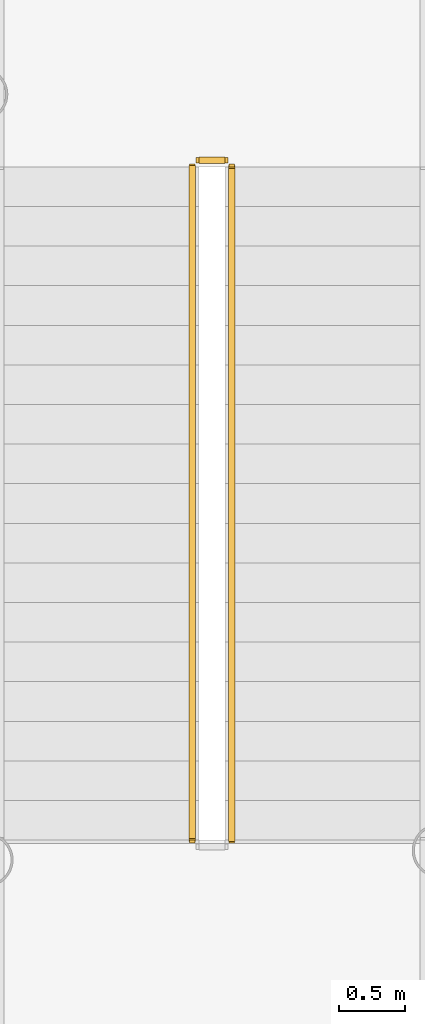
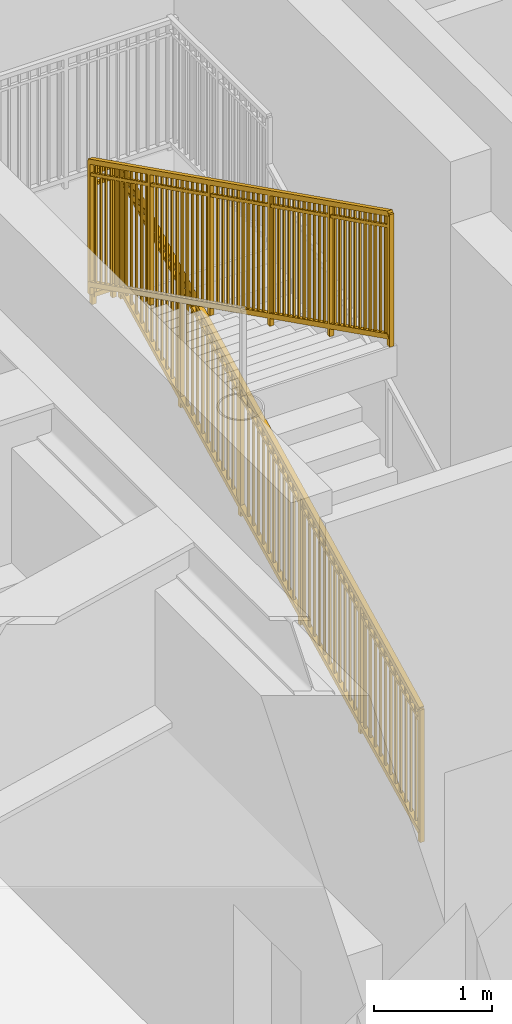
# One storey, part 15 of 20: 3 railings.
"""IFC4 building model written with IfcOpenShell, lengths in metres."""

import ifcopenshell
import ifcopenshell.guid

model = None  # the IFC model being written
_history = None  # IfcOwnerHistory: only IFC2X3 demands one
_inside = {}  # id of a spatial element -> (the spatial element, [elements in it])
_under = {}  # id of a project, library or spatial element -> (it, [spatial elements below it])
_declared = {}  # id of a project -> (the project, [libraries it declares])
_typed = {}  # id of a type object -> (the type object, [elements of that type])
_made_of = {}  # id of a material, layer set ... -> (it, [elements and type objects made of it])


def new_model(schema):
    """Start an empty IFC model of exactly this schema.

    Asked for "IFC4X3", IfcOpenShell would pick the latest addendum, in which some entities
    have other attributes; the version numbers below select the first issue.
    IFC2X3 requires an IfcOwnerHistory on every rooted entity: one is made here for all.
    """
    global model, _history
    if schema == "IFC4X3":
        model = ifcopenshell.file(schema_version=(4, 3, 0, 0))
    else:
        model = ifcopenshell.file(schema=schema)
    _inside.clear()
    _under.clear()
    _declared.clear()
    _typed.clear()
    _made_of.clear()
    _history = None
    if model.schema == "IFC2X3":
        org = make("IfcOrganization", Name="unknown")
        user = make(
            "IfcPersonAndOrganization",
            ThePerson=make("IfcPerson", FamilyName="unknown"),
            TheOrganization=org,
        )
        app = make(
            "IfcApplication",
            ApplicationDeveloper=org,
            Version="unknown",
            ApplicationFullName="unknown",
            ApplicationIdentifier="unknown",
        )
        _history = make(
            "IfcOwnerHistory",
            OwningUser=user,
            OwningApplication=app,
            ChangeAction="ADDED",
            CreationDate=0,
        )
    return model


def make(cls, **values):
    """One entity of the class cls with the attributes given. An attribute that is None is left unset."""
    return model.create_entity(
        cls, **{name: value for name, value in values.items() if value is not None}
    )


def rooted(cls, **values):
    """An entity with a GlobalId (a new one), such as an element, a storey or a relation."""
    return make(cls, GlobalId=ifcopenshell.guid.new(), OwnerHistory=_history, **values)


def si_unit(unit_type, name, prefix=None):
    """IfcSIUnit, for example si_unit("LENGTHUNIT", "METRE", prefix="MILLI")."""
    return make("IfcSIUnit", UnitType=unit_type, Prefix=prefix, Name=name)


def assignment(units):
    """IfcUnitAssignment: the units of a project."""
    return None if units is None else make("IfcUnitAssignment", Units=units)


def point(xyz):
    """IfcCartesianPoint."""
    return None if xyz is None else make("IfcCartesianPoint", Coordinates=xyz)


def direction(xyz):
    """IfcDirection."""
    return None if xyz is None else make("IfcDirection", DirectionRatios=xyz)


def frame(location, z_axis=None, x_axis=None):
    """IfcAxis2Placement3D, a coordinate frame: its origin and axes. An axis left out is left unset."""
    return make(
        "IfcAxis2Placement3D",
        Location=point(location),
        Axis=direction(z_axis),
        RefDirection=direction(x_axis),
    )


def frame_2d(location, x_axis=None):
    """IfcAxis2Placement2D, a coordinate frame in the plane: its origin and x axis."""
    return make(
        "IfcAxis2Placement2D", Location=point(location), RefDirection=direction(x_axis)
    )


def origin():
    """The frame at (0, 0, 0) with its axes left unset."""
    return frame((0.0, 0.0, 0.0))


def origin_2d():
    """The frame at (0, 0) in the plane with its x axis left unset."""
    return frame_2d((0.0, 0.0))


def place(relative_to, where):
    """IfcLocalPlacement: puts the frame where relative to a parent placement (None: the world)."""
    return make(
        "IfcLocalPlacement", PlacementRelTo=relative_to, RelativePlacement=where
    )


def context(
    kind, dimensions, precision=None, world=None, true_north=None, identifier=None
):
    """IfcGeometricRepresentationContext, for example the 3D "Model" context."""
    return make(
        "IfcGeometricRepresentationContext",
        ContextIdentifier=identifier,
        ContextType=kind,
        CoordinateSpaceDimension=dimensions,
        Precision=precision,
        WorldCoordinateSystem=world,
        TrueNorth=true_north,
    )


def subcontext(parent, identifier, kind, view, scale=None):
    """IfcGeometricRepresentationSubContext, for example "Body" below "Model"."""
    return make(
        "IfcGeometricRepresentationSubContext",
        ContextIdentifier=identifier,
        ContextType=kind,
        ParentContext=parent,
        TargetScale=scale,
        TargetView=view,
    )


def project(units=None, contexts=None):
    """IfcProject with its units and contexts."""
    return rooted(
        "IfcProject",
        Name="project",
        RepresentationContexts=contexts,
        UnitsInContext=assignment(units),
    )


def spatial(cls, under=None, at=None, **own):
    """A site, building, storey or space (cls), placed at a placement, below another one or the project."""
    s = rooted(cls, ObjectPlacement=at, **own)
    if under is not None:
        _under.setdefault(under.id(), (under, []))[1].append(s)
    return s


def profile(cls, at=None, kind="AREA", **sizes):
    """A parametric profile (cls). Its sizes go by their IFC names, for example OverallWidth=200.0."""
    return make(cls, ProfileType=kind, Position=at, **sizes)


def rectangle(**sizes):
    """IfcRectangleProfileDef."""
    return profile("IfcRectangleProfileDef", **sizes)


def extrude(swept, where, along, depth):
    """IfcExtrudedAreaSolid: the profile swept, set in the frame where, extruded along a direction by depth."""
    return make(
        "IfcExtrudedAreaSolid",
        SweptArea=swept,
        Position=where,
        ExtrudedDirection=direction(along),
        Depth=depth,
    )


def shape(context_of_items, identifier, shape_type, items):
    """IfcShapeRepresentation: the items that make up one representation, for example the "Body"."""
    return make(
        "IfcShapeRepresentation",
        ContextOfItems=context_of_items,
        RepresentationIdentifier=identifier,
        RepresentationType=shape_type,
        Items=items,
    )


def source(mapping_origin, context_of_items, identifier, shape_type, items):
    """IfcRepresentationMap: a shape defined once, which mapped items show again and again."""
    return make(
        "IfcRepresentationMap",
        MappingOrigin=mapping_origin,
        MappedRepresentation=shape(context_of_items, identifier, shape_type, items),
    )


def transform(
    local_origin,
    x_axis=None,
    y_axis=None,
    z_axis=None,
    scale=None,
    scale2=None,
    scale3=None,
    uniform=True,
):
    """IfcCartesianTransformationOperator3D, or its non-uniform kind. x_axis, y_axis, z_axis: its Axis1, 2, 3."""
    if uniform:
        return make(
            "IfcCartesianTransformationOperator3D",
            Axis1=direction(x_axis),
            Axis2=direction(y_axis),
            LocalOrigin=point(local_origin),
            Scale=scale,
            Axis3=direction(z_axis),
        )
    return make(
        "IfcCartesianTransformationOperator3DnonUniform",
        Axis1=direction(x_axis),
        Axis2=direction(y_axis),
        LocalOrigin=point(local_origin),
        Scale=scale,
        Axis3=direction(z_axis),
        Scale2=scale2,
        Scale3=scale3,
    )


def mapped(mapping_source, mapping_target):
    """IfcMappedItem: shows the shape of a source again, moved by a transform."""
    return make(
        "IfcMappedItem", MappingSource=mapping_source, MappingTarget=mapping_target
    )


def material(Name=None, Category=None):
    """IfcMaterial."""
    return make("IfcMaterial", Name=Name, Category=Category)


def made_of(thing, what):
    """Note that an element or type object is made of a material, layer set ...; save() writes the relation."""
    if what is not None:
        _made_of.setdefault(what.id(), (what, []))[1].append(thing)
    return thing


def type_object(cls, material=None, **own):
    """A type object (cls), such as IfcWallType, which elements share."""
    return made_of(rooted(cls, **own), material)


def element(
    cls,
    number,
    at=None,
    inside=None,
    cuts=None,
    type_object=None,
    material=None,
    context=None,
    identifier="Body",
    shape_type=None,
    held_by="IfcProductDefinitionShape",
    body=None,
    shapes=None,
    **own,
):
    """One element of the class cls, such as IfcWall. Its Tag is "e" and its number.

    at: its placement. inside: the storey or other place that contains it. cuts: it is an
    opening in that element (IfcRelVoidsElement). A single representation is given by context,
    identifier, shape_type and body (its items); several are given by shapes. held_by: the class
    of the entity that holds the representations. save() writes the other relations.
    """
    e = rooted(cls, Tag="e%d" % number, ObjectPlacement=at, **own)
    if body is not None:
        shapes = [shape(context, identifier, shape_type, body)]
    if shapes is not None:
        e.Representation = make(held_by, Representations=shapes)
    if inside is not None:
        _inside.setdefault(inside.id(), (inside, []))[1].append(e)
    if cuts is not None:
        rooted(
            "IfcRelVoidsElement", RelatingBuildingElement=cuts, RelatedOpeningElement=e
        )
    if type_object is not None:
        _typed.setdefault(type_object.id(), (type_object, []))[1].append(e)
    return made_of(e, material)


def aggregate(whole, parts):
    """IfcRelAggregates: a whole, such as a stair, and the parts it consists of."""
    return rooted("IfcRelAggregates", RelatingObject=whole, RelatedObjects=parts)


def save(model, path):
    """Write the relations noted so far, then the file.

    IfcRelAggregates (storeys below a building ...), IfcRelContainedInSpatialStructure (elements
    in a storey), IfcRelDefinesByType, IfcRelAssociatesMaterial and IfcRelDeclares: one each for
    every whole, place, type object, material and project.
    """
    for whole, parts in _under.values():
        aggregate(whole, parts)
    for where, things in _inside.values():
        rooted(
            "IfcRelContainedInSpatialStructure",
            RelatedElements=things,
            RelatingStructure=where,
        )
    for kind, things in _typed.values():
        rooted("IfcRelDefinesByType", RelatedObjects=things, RelatingType=kind)
    for what, things in _made_of.values():
        rooted("IfcRelAssociatesMaterial", RelatedObjects=things, RelatingMaterial=what)
    for by, libraries in _declared.values():
        rooted("IfcRelDeclares", RelatingContext=by, RelatedDefinitions=libraries)
    model.write(path)


model = new_model("IFC4")

# Units and contexts
model_context = context("Model", 3, precision=1e-05, world=origin(), true_north=direction((0.0, 1.0)))
body_context = subcontext(model_context, "Body", "Model", "MODEL_VIEW")
ifc_project = project(units=[si_unit("LENGTHUNIT", "METRE"), si_unit("AREAUNIT", "SQUARE_METRE"), si_unit("VOLUMEUNIT", "CUBIC_METRE"), si_unit("PLANEANGLEUNIT", "RADIAN"), si_unit("MASSUNIT", "GRAM", prefix="KILO")], contexts=[model_context])

# Site, building, storey
site_placement = place(None, origin())
site = spatial("IfcSite", under=ifc_project, at=site_placement, CompositionType="ELEMENT")
building_placement = place(site_placement, origin())
building = spatial("IfcBuilding", under=site, at=building_placement, Name="Linh Dai School and Residence Tower", CompositionType="ELEMENT")
storey_placement = place(building_placement, frame((0.0, 0.0, 204.89990234375)))
storey = spatial("IfcBuildingStorey", under=building, at=storey_placement, Name="L50", CompositionType="ELEMENT", Elevation=204.89990234375)

# Railings
ifc_material = material(Name="Structural Steel S355JR", Category="steel")
railing_type = type_object("IfcRailingType", Name="RL-ST-GUARD-1400", PredefinedType="GUARDRAIL", material=ifc_material)
shared_shape_1 = source(origin(), body_context, "Body", "SweptSolid", [
    extrude(rectangle(XDim=0.048095703125, YDim=0.048095703125, at=origin_2d()), frame((0.0, 0.0, 1.3759765625), z_axis=(-1.0, 0.0, 0.0), x_axis=(0.0, -1.0, 0.0)), (0.0, 0.0, 1.0), 0.199951171875),
    extrude(rectangle(XDim=0.048095703125, YDim=0.048095703125, at=origin_2d()), frame((0.0, 0.0, 0.10009765625), z_axis=(-1.0, 0.0, 0.0), x_axis=(0.0, -1.0, 0.0)), (0.0, 0.0, 1.0), 0.199951171875),
    extrude(rectangle(XDim=0.030029296875, YDim=0.030029296875, at=origin_2d()), frame((0.0, 0.0, 1.239990234375), z_axis=(-1.0, 0.0, 0.0), x_axis=(0.0, -1.0, 0.0)), (0.0, 0.0, 1.0), 0.199951171875),
    extrude(rectangle(XDim=0.0419921875, YDim=0.0419921875, at=origin_2d()), origin(), (0.0, 0.0, 1.0), 1.3759765625),
    extrude(rectangle(XDim=0.0419921875, YDim=0.0419921875, at=origin_2d()), frame((-0.199951171875, 0.0, 0.0)), (0.0, 0.0, 1.0), 1.3759765625),
])
railing_1_placement = place(storey_placement, frame((29.429931640625, 30.85009765625, 2.7001953125)))
element("IfcRailing", 1, at=railing_1_placement, inside=storey, type_object=railing_type, Name="L50 ST1 stair guard 2", PredefinedType="GUARDRAIL", context=body_context, shape_type="MappedRepresentation", body=[
    mapped(shared_shape_1, transform((0.0, 0.0, 0.0), x_axis=(1.0, 0.0, 0.0), y_axis=(0.0, 1.0, 0.0), z_axis=(0.0, 0.0, 1.0), scale=1.0)),
])
shared_shape_2 = source(origin(), body_context, "Body", "SweptSolid", [
    extrude(rectangle(XDim=0.048095703125, YDim=0.048095703125, at=origin_2d()), frame((0.0, 0.0, 1.3759765625), z_axis=(0.0, 0.894427191, 0.4472135955), x_axis=(-1.0, 0.0, 0.0)), (0.0, 0.0, 1.0), 5.7021484375),
    extrude(rectangle(XDim=0.048095703125, YDim=0.048095703125, at=origin_2d()), frame((0.0, 0.0, 0.10009765625), z_axis=(0.0, 0.894427191, 0.4472135955), x_axis=(-1.0, 0.0, 0.0)), (0.0, 0.0, 1.0), 5.7021484375),
    extrude(rectangle(XDim=0.030029296875, YDim=0.030029296875, at=origin_2d()), frame((0.0, 0.0, 1.239990234375), z_axis=(0.0, 0.894427191, 0.4472135955), x_axis=(-1.0, 0.0, 0.0)), (0.0, 0.0, 1.0), 5.7021484375),
    extrude(rectangle(XDim=0.02001953125, YDim=0.02001953125, at=origin_2d()), frame((0.0, 0.08642578125, 0.143310546875)), (0.0, 0.0, 1.0), 1.251708984375),
    extrude(rectangle(XDim=0.02001953125, YDim=0.02001953125, at=origin_2d()), frame((0.0, 0.1728515625, 0.1865234375)), (0.0, 0.0, 1.0), 1.251708984375),
    extrude(rectangle(XDim=0.02001953125, YDim=0.02001953125, at=origin_2d()), frame((0.0, 0.25927734375, 0.229736328125)), (0.0, 0.0, 1.0), 1.251708984375),
    extrude(rectangle(XDim=0.02001953125, YDim=0.02001953125, at=origin_2d()), frame((0.0, 0.345703125, 0.27294921875)), (0.0, 0.0, 1.0), 1.251708984375),
    extrude(rectangle(XDim=0.02001953125, YDim=0.02001953125, at=origin_2d()), frame((0.0, 0.43212890625, 0.316162109375)), (0.0, 0.0, 1.0), 1.251708984375),
    extrude(rectangle(XDim=0.02001953125, YDim=0.02001953125, at=origin_2d()), frame((0.0, 0.5185546875, 0.359375)), (0.0, 0.0, 1.0), 1.251708984375),
    extrude(rectangle(XDim=0.02001953125, YDim=0.02001953125, at=origin_2d()), frame((0.0, 0.60498046875, 0.402587890625)), (0.0, 0.0, 1.0), 1.251708984375),
    extrude(rectangle(XDim=0.02001953125, YDim=0.02001953125, at=origin_2d()), frame((0.0, 0.691650390625, 0.44580078125)), (0.0, 0.0, 1.0), 1.251708984375),
    extrude(rectangle(XDim=0.02001953125, YDim=0.02001953125, at=origin_2d()), frame((0.0, 0.778076171875, 0.489013671875)), (0.0, 0.0, 1.0), 1.251708984375),
    extrude(rectangle(XDim=0.02001953125, YDim=0.02001953125, at=origin_2d()), frame((0.0, 0.864501953125, 0.5322265625)), (0.0, 0.0, 1.0), 1.251708984375),
    extrude(rectangle(XDim=0.02001953125, YDim=0.02001953125, at=origin_2d()), frame((0.0, 0.950927734375, 0.575439453125)), (0.0, 0.0, 1.0), 1.251708984375),
    extrude(rectangle(XDim=0.02001953125, YDim=0.02001953125, at=origin_2d()), frame((0.0, 1.123779296875, 0.661865234375)), (0.0, 0.0, 1.0), 1.251708984375),
    extrude(rectangle(XDim=0.02001953125, YDim=0.02001953125, at=origin_2d()), frame((0.0, 1.210205078125, 0.705078125)), (0.0, 0.0, 1.0), 1.251708984375),
    extrude(rectangle(XDim=0.02001953125, YDim=0.02001953125, at=origin_2d()), frame((0.0, 1.296630859375, 0.74853515625)), (0.0, 0.0, 1.0), 1.251708984375),
    extrude(rectangle(XDim=0.02001953125, YDim=0.02001953125, at=origin_2d()), frame((0.0, 1.383056640625, 0.791748046875)), (0.0, 0.0, 1.0), 1.251708984375),
    extrude(rectangle(XDim=0.02001953125, YDim=0.02001953125, at=origin_2d()), frame((0.0, 1.469482421875, 0.8349609375)), (0.0, 0.0, 1.0), 1.251708984375),
    extrude(rectangle(XDim=0.02001953125, YDim=0.02001953125, at=origin_2d()), frame((0.0, 1.555908203125, 0.878173828125)), (0.0, 0.0, 1.0), 1.251708984375),
    extrude(rectangle(XDim=0.02001953125, YDim=0.02001953125, at=origin_2d()), frame((0.0, 1.642333984375, 0.92138671875)), (0.0, 0.0, 1.0), 1.251708984375),
    extrude(rectangle(XDim=0.02001953125, YDim=0.02001953125, at=origin_2d()), frame((0.0, 1.728759765625, 0.964599609375)), (0.0, 0.0, 1.0), 1.251708984375),
    extrude(rectangle(XDim=0.02001953125, YDim=0.02001953125, at=origin_2d()), frame((0.0, 1.815185546875, 1.0078125)), (0.0, 0.0, 1.0), 1.251708984375),
    extrude(rectangle(XDim=0.02001953125, YDim=0.02001953125, at=origin_2d()), frame((0.0, 1.901611328125, 1.051025390625)), (0.0, 0.0, 1.0), 1.251708984375),
    extrude(rectangle(XDim=0.02001953125, YDim=0.02001953125, at=origin_2d()), frame((0.0, 1.98828125, 1.09423828125)), (0.0, 0.0, 1.0), 1.251708984375),
    extrude(rectangle(XDim=0.02001953125, YDim=0.02001953125, at=origin_2d()), frame((0.0, 2.1611328125, 1.1806640625)), (0.0, 0.0, 1.0), 1.251708984375),
    extrude(rectangle(XDim=0.02001953125, YDim=0.02001953125, at=origin_2d()), frame((0.0, 2.24755859375, 1.223876953125)), (0.0, 0.0, 1.0), 1.251708984375),
    extrude(rectangle(XDim=0.02001953125, YDim=0.02001953125, at=origin_2d()), frame((0.0, 2.333984375, 1.26708984375)), (0.0, 0.0, 1.0), 1.251708984375),
    extrude(rectangle(XDim=0.02001953125, YDim=0.02001953125, at=origin_2d()), frame((0.0, 2.42041015625, 1.310302734375)), (0.0, 0.0, 1.0), 1.251708984375),
    extrude(rectangle(XDim=0.02001953125, YDim=0.02001953125, at=origin_2d()), frame((0.0, 2.5068359375, 1.353515625)), (0.0, 0.0, 1.0), 1.251708984375),
    extrude(rectangle(XDim=0.02001953125, YDim=0.02001953125, at=origin_2d()), frame((0.0, 2.59326171875, 1.396728515625)), (0.0, 0.0, 1.0), 1.251708984375),
    extrude(rectangle(XDim=0.02001953125, YDim=0.02001953125, at=origin_2d()), frame((0.0, 2.6796875, 1.43994140625)), (0.0, 0.0, 1.0), 1.251708984375),
    extrude(rectangle(XDim=0.02001953125, YDim=0.02001953125, at=origin_2d()), frame((0.0, 2.76611328125, 1.483154296875)), (0.0, 0.0, 1.0), 1.251708984375),
    extrude(rectangle(XDim=0.02001953125, YDim=0.02001953125, at=origin_2d()), frame((0.0, 2.8525390625, 1.5263671875)), (0.0, 0.0, 1.0), 1.251708984375),
    extrude(rectangle(XDim=0.02001953125, YDim=0.02001953125, at=origin_2d()), frame((0.0, 2.93896484375, 1.569580078125)), (0.0, 0.0, 1.0), 1.251708984375),
    extrude(rectangle(XDim=0.02001953125, YDim=0.02001953125, at=origin_2d()), frame((0.0, 3.11181640625, 1.656005859375)), (0.0, 0.0, 1.0), 1.251708984375),
    extrude(rectangle(XDim=0.02001953125, YDim=0.02001953125, at=origin_2d()), frame((0.0, 3.198486328125, 1.69921875)), (0.0, 0.0, 1.0), 1.251708984375),
    extrude(rectangle(XDim=0.02001953125, YDim=0.02001953125, at=origin_2d()), frame((0.0, 3.284912109375, 1.742431640625)), (0.0, 0.0, 1.0), 1.251708984375),
    extrude(rectangle(XDim=0.02001953125, YDim=0.02001953125, at=origin_2d()), frame((0.0, 3.371337890625, 1.78564453125)), (0.0, 0.0, 1.0), 1.251708984375),
    extrude(rectangle(XDim=0.02001953125, YDim=0.02001953125, at=origin_2d()), frame((0.0, 3.457763671875, 1.828857421875)), (0.0, 0.0, 1.0), 1.251708984375),
    extrude(rectangle(XDim=0.02001953125, YDim=0.02001953125, at=origin_2d()), frame((0.0, 3.544189453125, 1.8720703125)), (0.0, 0.0, 1.0), 1.251708984375),
    extrude(rectangle(XDim=0.02001953125, YDim=0.02001953125, at=origin_2d()), frame((0.0, 3.630615234375, 1.915283203125)), (0.0, 0.0, 1.0), 1.251708984375),
    extrude(rectangle(XDim=0.02001953125, YDim=0.02001953125, at=origin_2d()), frame((0.0, 3.717041015625, 1.95849609375)), (0.0, 0.0, 1.0), 1.251708984375),
    extrude(rectangle(XDim=0.02001953125, YDim=0.02001953125, at=origin_2d()), frame((0.0, 3.803466796875, 2.001708984375)), (0.0, 0.0, 1.0), 1.251708984375),
    extrude(rectangle(XDim=0.02001953125, YDim=0.02001953125, at=origin_2d()), frame((0.0, 3.889892578125, 2.045166015625)), (0.0, 0.0, 1.0), 1.251708984375),
    extrude(rectangle(XDim=0.02001953125, YDim=0.02001953125, at=origin_2d()), frame((0.0, 3.976318359375, 2.08837890625)), (0.0, 0.0, 1.0), 1.251708984375),
    extrude(rectangle(XDim=0.02001953125, YDim=0.02001953125, at=origin_2d()), frame((0.0, 4.149169921875, 2.1748046875)), (0.0, 0.0, 1.0), 1.251708984375),
    extrude(rectangle(XDim=0.02001953125, YDim=0.02001953125, at=origin_2d()), frame((0.0, 4.235595703125, 2.218017578125)), (0.0, 0.0, 1.0), 1.251708984375),
    extrude(rectangle(XDim=0.02001953125, YDim=0.02001953125, at=origin_2d()), frame((0.0, 4.322021484375, 2.26123046875)), (0.0, 0.0, 1.0), 1.251708984375),
    extrude(rectangle(XDim=0.02001953125, YDim=0.02001953125, at=origin_2d()), frame((0.0, 4.408447265625, 2.304443359375)), (0.0, 0.0, 1.0), 1.251708984375),
    extrude(rectangle(XDim=0.02001953125, YDim=0.02001953125, at=origin_2d()), frame((0.0, 4.4951171875, 2.34765625)), (0.0, 0.0, 1.0), 1.251708984375),
    extrude(rectangle(XDim=0.02001953125, YDim=0.02001953125, at=origin_2d()), frame((0.0, 4.58154296875, 2.390869140625)), (0.0, 0.0, 1.0), 1.251708984375),
    extrude(rectangle(XDim=0.02001953125, YDim=0.02001953125, at=origin_2d()), frame((0.0, 4.66796875, 2.43408203125)), (0.0, 0.0, 1.0), 1.251708984375),
    extrude(rectangle(XDim=0.02001953125, YDim=0.02001953125, at=origin_2d()), frame((0.0, 4.75439453125, 2.477294921875)), (0.0, 0.0, 1.0), 1.251708984375),
    extrude(rectangle(XDim=0.02001953125, YDim=0.02001953125, at=origin_2d()), frame((0.0, 4.8408203125, 2.5205078125)), (0.0, 0.0, 1.0), 1.251708984375),
    extrude(rectangle(XDim=0.02001953125, YDim=0.02001953125, at=origin_2d()), frame((0.0, 4.92724609375, 2.563720703125)), (0.0, 0.0, 1.0), 1.251708984375),
    extrude(rectangle(XDim=0.02001953125, YDim=0.02001953125, at=origin_2d()), frame((0.0, 5.013671875, 2.60693359375)), (0.0, 0.0, 1.0), 1.251708984375),
    extrude(rectangle(XDim=0.0419921875, YDim=0.0419921875, at=origin_2d()), origin(), (0.0, 0.0, 1.0), 1.3759765625),
    extrude(rectangle(XDim=0.0419921875, YDim=0.0419921875, at=origin_2d()), frame((0.0, 1.02001953125, 0.510009765625)), (0.0, 0.0, 1.0), 1.3759765625),
    extrude(rectangle(XDim=0.0419921875, YDim=0.0419921875, at=origin_2d()), frame((0.0, 2.0400390625, 1.02001953125)), (0.0, 0.0, 1.0), 1.3759765625),
    extrude(rectangle(XDim=0.0419921875, YDim=0.0419921875, at=origin_2d()), frame((0.0, 3.06005859375, 1.530029296875)), (0.0, 0.0, 1.0), 1.3759765625),
    extrude(rectangle(XDim=0.0419921875, YDim=0.0419921875, at=origin_2d()), frame((0.0, 4.080078125, 2.0400390625)), (0.0, 0.0, 1.0), 1.3759765625),
    extrude(rectangle(XDim=0.0419921875, YDim=0.0419921875, at=origin_2d()), frame((0.0, 5.10009765625, 2.550048828125)), (0.0, 0.0, 1.0), 1.3759765625),
])
railing_2_placement = place(storey_placement, frame((29.47998046875, 25.699951171875, 0.150146484375)))
element("IfcRailing", 2, at=railing_2_placement, inside=storey, type_object=railing_type, Name="L50 ST1 stair guard 1", PredefinedType="GUARDRAIL", context=body_context, shape_type="MappedRepresentation", body=[
    mapped(shared_shape_2, transform((0.0, 0.0, 0.0), x_axis=(1.0, 0.0, 0.0), y_axis=(0.0, 1.0, 0.0), z_axis=(0.0, 0.0, 1.0), scale=1.0)),
])
shared_shape_3 = source(origin(), body_context, "Body", "SweptSolid", [
    extrude(rectangle(XDim=0.048095703125, YDim=0.048095703125, at=origin_2d()), frame((0.0, 0.0, 1.3759765625), z_axis=(0.0, -0.894427191, 0.4472135955), x_axis=(1.0, 0.0, 0.0)), (0.0, 0.0, 1.0), 5.7021484375),
    extrude(rectangle(XDim=0.048095703125, YDim=0.048095703125, at=origin_2d()), frame((0.0, 0.0, 0.10009765625), z_axis=(0.0, -0.894427191, 0.4472135955), x_axis=(1.0, 0.0, 0.0)), (0.0, 0.0, 1.0), 5.7021484375),
    extrude(rectangle(XDim=0.030029296875, YDim=0.030029296875, at=origin_2d()), frame((0.0, 0.0, 1.239990234375), z_axis=(0.0, -0.894427191, 0.4472135955), x_axis=(1.0, 0.0, 0.0)), (0.0, 0.0, 1.0), 5.7021484375),
    extrude(rectangle(XDim=0.02001953125, YDim=0.02001953125, at=origin_2d()), frame((0.0, -0.08642578125, 0.143310546875)), (0.0, 0.0, 1.0), 1.251708984375),
    extrude(rectangle(XDim=0.02001953125, YDim=0.02001953125, at=origin_2d()), frame((0.0, -0.1728515625, 0.1865234375)), (0.0, 0.0, 1.0), 1.251708984375),
    extrude(rectangle(XDim=0.02001953125, YDim=0.02001953125, at=origin_2d()), frame((0.0, -0.25927734375, 0.229736328125)), (0.0, 0.0, 1.0), 1.251708984375),
    extrude(rectangle(XDim=0.02001953125, YDim=0.02001953125, at=origin_2d()), frame((0.0, -0.345703125, 0.27294921875)), (0.0, 0.0, 1.0), 1.251708984375),
    extrude(rectangle(XDim=0.02001953125, YDim=0.02001953125, at=origin_2d()), frame((0.0, -0.43212890625, 0.316162109375)), (0.0, 0.0, 1.0), 1.251708984375),
    extrude(rectangle(XDim=0.02001953125, YDim=0.02001953125, at=origin_2d()), frame((0.0, -0.5185546875, 0.359375)), (0.0, 0.0, 1.0), 1.251708984375),
    extrude(rectangle(XDim=0.02001953125, YDim=0.02001953125, at=origin_2d()), frame((0.0, -0.60498046875, 0.402587890625)), (0.0, 0.0, 1.0), 1.251708984375),
    extrude(rectangle(XDim=0.02001953125, YDim=0.02001953125, at=origin_2d()), frame((0.0, -0.691650390625, 0.44580078125)), (0.0, 0.0, 1.0), 1.251708984375),
    extrude(rectangle(XDim=0.02001953125, YDim=0.02001953125, at=origin_2d()), frame((0.0, -0.778076171875, 0.489013671875)), (0.0, 0.0, 1.0), 1.251708984375),
    extrude(rectangle(XDim=0.02001953125, YDim=0.02001953125, at=origin_2d()), frame((0.0, -0.864501953125, 0.5322265625)), (0.0, 0.0, 1.0), 1.251708984375),
    extrude(rectangle(XDim=0.02001953125, YDim=0.02001953125, at=origin_2d()), frame((0.0, -0.950927734375, 0.575439453125)), (0.0, 0.0, 1.0), 1.251708984375),
    extrude(rectangle(XDim=0.02001953125, YDim=0.02001953125, at=origin_2d()), frame((0.0, -1.123779296875, 0.661865234375)), (0.0, 0.0, 1.0), 1.251708984375),
    extrude(rectangle(XDim=0.02001953125, YDim=0.02001953125, at=origin_2d()), frame((0.0, -1.210205078125, 0.705078125)), (0.0, 0.0, 1.0), 1.251708984375),
    extrude(rectangle(XDim=0.02001953125, YDim=0.02001953125, at=origin_2d()), frame((0.0, -1.296630859375, 0.74853515625)), (0.0, 0.0, 1.0), 1.251708984375),
    extrude(rectangle(XDim=0.02001953125, YDim=0.02001953125, at=origin_2d()), frame((0.0, -1.383056640625, 0.791748046875)), (0.0, 0.0, 1.0), 1.251708984375),
    extrude(rectangle(XDim=0.02001953125, YDim=0.02001953125, at=origin_2d()), frame((0.0, -1.469482421875, 0.8349609375)), (0.0, 0.0, 1.0), 1.251708984375),
    extrude(rectangle(XDim=0.02001953125, YDim=0.02001953125, at=origin_2d()), frame((0.0, -1.555908203125, 0.878173828125)), (0.0, 0.0, 1.0), 1.251708984375),
    extrude(rectangle(XDim=0.02001953125, YDim=0.02001953125, at=origin_2d()), frame((0.0, -1.642333984375, 0.92138671875)), (0.0, 0.0, 1.0), 1.251708984375),
    extrude(rectangle(XDim=0.02001953125, YDim=0.02001953125, at=origin_2d()), frame((0.0, -1.728759765625, 0.964599609375)), (0.0, 0.0, 1.0), 1.251708984375),
    extrude(rectangle(XDim=0.02001953125, YDim=0.02001953125, at=origin_2d()), frame((0.0, -1.815185546875, 1.0078125)), (0.0, 0.0, 1.0), 1.251708984375),
    extrude(rectangle(XDim=0.02001953125, YDim=0.02001953125, at=origin_2d()), frame((0.0, -1.901611328125, 1.051025390625)), (0.0, 0.0, 1.0), 1.251708984375),
    extrude(rectangle(XDim=0.02001953125, YDim=0.02001953125, at=origin_2d()), frame((0.0, -1.98828125, 1.09423828125)), (0.0, 0.0, 1.0), 1.251708984375),
    extrude(rectangle(XDim=0.02001953125, YDim=0.02001953125, at=origin_2d()), frame((0.0, -2.1611328125, 1.1806640625)), (0.0, 0.0, 1.0), 1.251708984375),
    extrude(rectangle(XDim=0.02001953125, YDim=0.02001953125, at=origin_2d()), frame((0.0, -2.24755859375, 1.223876953125)), (0.0, 0.0, 1.0), 1.251708984375),
    extrude(rectangle(XDim=0.02001953125, YDim=0.02001953125, at=origin_2d()), frame((0.0, -2.333984375, 1.26708984375)), (0.0, 0.0, 1.0), 1.251708984375),
    extrude(rectangle(XDim=0.02001953125, YDim=0.02001953125, at=origin_2d()), frame((0.0, -2.42041015625, 1.310302734375)), (0.0, 0.0, 1.0), 1.251708984375),
    extrude(rectangle(XDim=0.02001953125, YDim=0.02001953125, at=origin_2d()), frame((0.0, -2.5068359375, 1.353515625)), (0.0, 0.0, 1.0), 1.251708984375),
    extrude(rectangle(XDim=0.02001953125, YDim=0.02001953125, at=origin_2d()), frame((0.0, -2.59326171875, 1.396728515625)), (0.0, 0.0, 1.0), 1.251708984375),
    extrude(rectangle(XDim=0.02001953125, YDim=0.02001953125, at=origin_2d()), frame((0.0, -2.6796875, 1.43994140625)), (0.0, 0.0, 1.0), 1.251708984375),
    extrude(rectangle(XDim=0.02001953125, YDim=0.02001953125, at=origin_2d()), frame((0.0, -2.76611328125, 1.483154296875)), (0.0, 0.0, 1.0), 1.251708984375),
    extrude(rectangle(XDim=0.02001953125, YDim=0.02001953125, at=origin_2d()), frame((0.0, -2.8525390625, 1.5263671875)), (0.0, 0.0, 1.0), 1.251708984375),
    extrude(rectangle(XDim=0.02001953125, YDim=0.02001953125, at=origin_2d()), frame((0.0, -2.93896484375, 1.569580078125)), (0.0, 0.0, 1.0), 1.251708984375),
    extrude(rectangle(XDim=0.02001953125, YDim=0.02001953125, at=origin_2d()), frame((0.0, -3.11181640625, 1.656005859375)), (0.0, 0.0, 1.0), 1.251708984375),
    extrude(rectangle(XDim=0.02001953125, YDim=0.02001953125, at=origin_2d()), frame((0.0, -3.198486328125, 1.69921875)), (0.0, 0.0, 1.0), 1.251708984375),
    extrude(rectangle(XDim=0.02001953125, YDim=0.02001953125, at=origin_2d()), frame((0.0, -3.284912109375, 1.742431640625)), (0.0, 0.0, 1.0), 1.251708984375),
    extrude(rectangle(XDim=0.02001953125, YDim=0.02001953125, at=origin_2d()), frame((0.0, -3.371337890625, 1.78564453125)), (0.0, 0.0, 1.0), 1.251708984375),
    extrude(rectangle(XDim=0.02001953125, YDim=0.02001953125, at=origin_2d()), frame((0.0, -3.457763671875, 1.828857421875)), (0.0, 0.0, 1.0), 1.251708984375),
    extrude(rectangle(XDim=0.02001953125, YDim=0.02001953125, at=origin_2d()), frame((0.0, -3.544189453125, 1.8720703125)), (0.0, 0.0, 1.0), 1.251708984375),
    extrude(rectangle(XDim=0.02001953125, YDim=0.02001953125, at=origin_2d()), frame((0.0, -3.630615234375, 1.915283203125)), (0.0, 0.0, 1.0), 1.251708984375),
    extrude(rectangle(XDim=0.02001953125, YDim=0.02001953125, at=origin_2d()), frame((0.0, -3.717041015625, 1.95849609375)), (0.0, 0.0, 1.0), 1.251708984375),
    extrude(rectangle(XDim=0.02001953125, YDim=0.02001953125, at=origin_2d()), frame((0.0, -3.803466796875, 2.001708984375)), (0.0, 0.0, 1.0), 1.251708984375),
    extrude(rectangle(XDim=0.02001953125, YDim=0.02001953125, at=origin_2d()), frame((0.0, -3.889892578125, 2.045166015625)), (0.0, 0.0, 1.0), 1.251708984375),
    extrude(rectangle(XDim=0.02001953125, YDim=0.02001953125, at=origin_2d()), frame((0.0, -3.976318359375, 2.08837890625)), (0.0, 0.0, 1.0), 1.251708984375),
    extrude(rectangle(XDim=0.02001953125, YDim=0.02001953125, at=origin_2d()), frame((0.0, -4.149169921875, 2.1748046875)), (0.0, 0.0, 1.0), 1.251708984375),
    extrude(rectangle(XDim=0.02001953125, YDim=0.02001953125, at=origin_2d()), frame((0.0, -4.235595703125, 2.218017578125)), (0.0, 0.0, 1.0), 1.251708984375),
    extrude(rectangle(XDim=0.02001953125, YDim=0.02001953125, at=origin_2d()), frame((0.0, -4.322021484375, 2.26123046875)), (0.0, 0.0, 1.0), 1.251708984375),
    extrude(rectangle(XDim=0.02001953125, YDim=0.02001953125, at=origin_2d()), frame((0.0, -4.408447265625, 2.304443359375)), (0.0, 0.0, 1.0), 1.251708984375),
    extrude(rectangle(XDim=0.02001953125, YDim=0.02001953125, at=origin_2d()), frame((0.0, -4.4951171875, 2.34765625)), (0.0, 0.0, 1.0), 1.251708984375),
    extrude(rectangle(XDim=0.02001953125, YDim=0.02001953125, at=origin_2d()), frame((0.0, -4.58154296875, 2.390869140625)), (0.0, 0.0, 1.0), 1.251708984375),
    extrude(rectangle(XDim=0.02001953125, YDim=0.02001953125, at=origin_2d()), frame((0.0, -4.66796875, 2.43408203125)), (0.0, 0.0, 1.0), 1.251708984375),
    extrude(rectangle(XDim=0.02001953125, YDim=0.02001953125, at=origin_2d()), frame((0.0, -4.75439453125, 2.477294921875)), (0.0, 0.0, 1.0), 1.251708984375),
    extrude(rectangle(XDim=0.02001953125, YDim=0.02001953125, at=origin_2d()), frame((0.0, -4.8408203125, 2.5205078125)), (0.0, 0.0, 1.0), 1.251708984375),
    extrude(rectangle(XDim=0.02001953125, YDim=0.02001953125, at=origin_2d()), frame((0.0, -4.92724609375, 2.563720703125)), (0.0, 0.0, 1.0), 1.251708984375),
    extrude(rectangle(XDim=0.02001953125, YDim=0.02001953125, at=origin_2d()), frame((0.0, -5.013671875, 2.60693359375)), (0.0, 0.0, 1.0), 1.251708984375),
    extrude(rectangle(XDim=0.0419921875, YDim=0.0419921875, at=origin_2d()), origin(), (0.0, 0.0, 1.0), 1.3759765625),
    extrude(rectangle(XDim=0.0419921875, YDim=0.0419921875, at=origin_2d()), frame((0.0, -1.02001953125, 0.510009765625)), (0.0, 0.0, 1.0), 1.3759765625),
    extrude(rectangle(XDim=0.0419921875, YDim=0.0419921875, at=origin_2d()), frame((0.0, -2.0400390625, 1.02001953125)), (0.0, 0.0, 1.0), 1.3759765625),
    extrude(rectangle(XDim=0.0419921875, YDim=0.0419921875, at=origin_2d()), frame((0.0, -3.06005859375, 1.530029296875)), (0.0, 0.0, 1.0), 1.3759765625),
    extrude(rectangle(XDim=0.0419921875, YDim=0.0419921875, at=origin_2d()), frame((0.0, -4.080078125, 2.0400390625)), (0.0, 0.0, 1.0), 1.3759765625),
    extrude(rectangle(XDim=0.0419921875, YDim=0.0419921875, at=origin_2d()), frame((0.0, -5.10009765625, 2.550048828125)), (0.0, 0.0, 1.0), 1.3759765625),
])
railing_3_placement = place(storey_placement, frame((29.179931640625, 30.800048828125, 2.85009765625)))
element("IfcRailing", 3, at=railing_3_placement, inside=storey, type_object=railing_type, Name="L50 ST1 stair guard 6", PredefinedType="GUARDRAIL", context=body_context, shape_type="MappedRepresentation", body=[
    mapped(shared_shape_3, transform((0.0, 0.0, 0.0), x_axis=(1.0, 0.0, 0.0), y_axis=(0.0, 1.0, 0.0), z_axis=(0.0, 0.0, 1.0), scale=1.0)),
])

save(model, "model.ifc")
